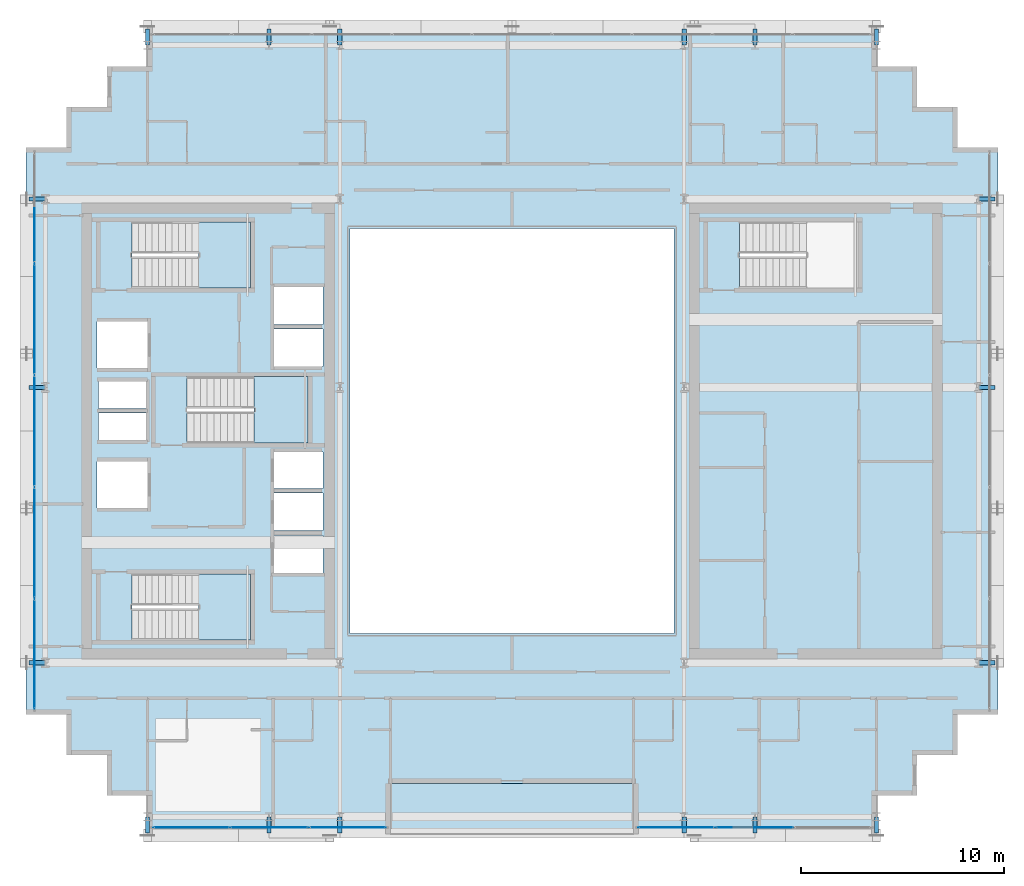
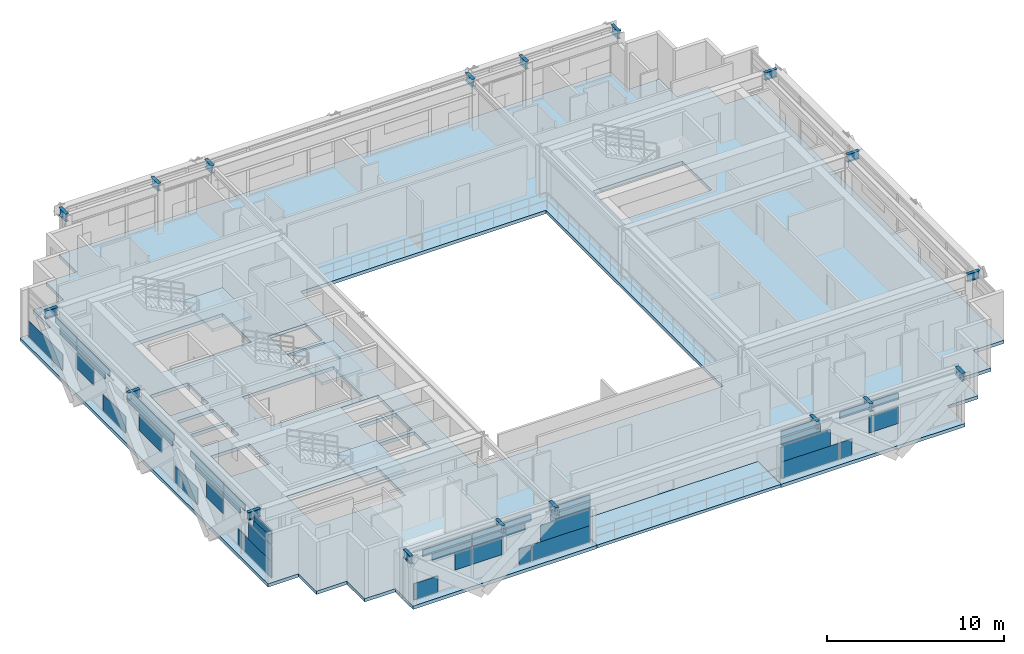
# One storey, part 20 of 32: 39 plates, 18 beams, 5 slabs, 6 elements without a shape of their own.
"""IFC4 building model written with IfcOpenShell, lengths in metres."""

from ifc_helpers import new_model, si_unit, direction, frame, origin, origin_2d, place, context, subcontext, project, spatial, polyline, rectangle, i_section, outline, extrude, source, transform, mapped, material, layer, layer_set, material_profile, profile_set, type_object, element, aggregate, save


model = new_model("IFC4")

# Units and contexts
model_context = context("Model", 3, precision=1e-05, world=origin(), true_north=direction((0.0, 1.0)))
body_context = subcontext(model_context, "Body", "Model", "MODEL_VIEW")
ifc_project = project(units=[si_unit("LENGTHUNIT", "METRE"), si_unit("AREAUNIT", "SQUARE_METRE"), si_unit("VOLUMEUNIT", "CUBIC_METRE"), si_unit("PLANEANGLEUNIT", "RADIAN"), si_unit("MASSUNIT", "GRAM", prefix="KILO")], contexts=[model_context])

# Site, building, storey
site_placement = place(None, origin())
site = spatial("IfcSite", under=ifc_project, at=site_placement, CompositionType="ELEMENT")
building_placement = place(site_placement, origin())
building = spatial("IfcBuilding", under=site, at=building_placement, Name="Ocotamira Hotel", CompositionType="ELEMENT")
storey_placement = place(building_placement, frame((0.0, 0.0, 177.60009765625)))
storey = spatial("IfcBuildingStorey", under=building, at=storey_placement, Name="L44", CompositionType="ELEMENT", Elevation=177.60009765625)

# Beams
ifc_material_1 = material(Name="Steel ASTM A992 Grade 50", Category="steel")
ifc_material_profile = material_profile(ifc_material_1, i_section(OverallWidth=0.2099609375, OverallDepth=0.537109375, WebThickness=0.010986328125, FlangeThickness=0.017333984375, FilletRadius=0.012939453125, at=origin_2d()), Name="W21X68")
ifc_profile_set = profile_set([ifc_material_profile], Name="Steel ASTM A992 Grade 50")
beam_type = type_object("IfcBeamType", Name="BM-SEC-W21X68", PredefinedType="JOIST", material=ifc_profile_set)
shared_shape_1 = source(origin(), body_context, "Body", "SweptSolid", [
    extrude(i_section(OverallWidth=0.2099609375, OverallDepth=0.537109375, WebThickness=0.010986328125, FlangeThickness=0.017333984375, FilletRadius=0.012939453125, at=origin_2d()), origin(), (0.0, 0.0, 1.0), 0.800048828125),
])
for number, where, z_axis, x_axis, name in (
    (1, (14.0, 6.949951171875, 3.101318359375), (0.0, -1.0, 0.0), (1.0, 0.0, 0.0), "L44 South Edge Header X14"),
    (2, (14.0, 45.050048828125, 3.101318359375), (0.0, 1.0, 0.0), (-1.0, 0.0, 0.0), "L44 North Edge Header X14"),
    (3, (20.0, 6.949951171875, 3.101318359375), (0.0, -1.0, 0.0), (1.0, 0.0, 0.0), "L44 South Edge Header X20"),
    (4, (20.0, 45.050048828125, 3.101318359375), (0.0, 1.0, 0.0), (-1.0, 0.0, 0.0), "L44 North Edge Header X20"),
    (5, (23.5, 6.949951171875, 3.101318359375), (0.0, -1.0, 0.0), (1.0, 0.0, 0.0), "L44 South Edge Header X23.5"),
    (6, (23.5, 45.050048828125, 3.101318359375), (0.0, 1.0, 0.0), (-1.0, 0.0, 0.0), "L44 North Edge Header X23.5"),
    (7, (40.5, 6.949951171875, 3.101318359375), (0.0, -1.0, 0.0), (1.0, 0.0, 0.0), "L44 South Edge Header X40.5"),
    (8, (40.5, 45.050048828125, 3.101318359375), (0.0, 1.0, 0.0), (-1.0, 0.0, 0.0), "L44 North Edge Header X40.5"),
    (9, (44.0, 6.949951171875, 3.101318359375), (0.0, -1.0, 0.0), (1.0, 0.0, 0.0), "L44 South Edge Header X44"),
    (10, (44.0, 45.050048828125, 3.101318359375), (0.0, 1.0, 0.0), (-1.0, 0.0, 0.0), "L44 North Edge Header X44"),
    (11, (50.0, 6.949951171875, 3.101318359375), (0.0, -1.0, 0.0), (1.0, 0.0, 0.0), "L44 South Edge Header X50"),
    (12, (50.0, 45.050048828125, 3.101318359375), (0.0, 1.0, 0.0), (-1.0, 0.0, 0.0), "L44 North Edge Header X50"),
    (13, (8.949951171875, 14.550048828125, 3.101318359375), (-1.0, 0.0, 0.0), (0.0, -1.0, 0.0), "L44 West Edge Header Y14.55"),
    (14, (55.050048828125, 14.550048828125, 3.101318359375), (1.0, 0.0, 0.0), (0.0, 1.0, 0.0), "L44 East Edge Header Y14.55"),
    (15, (8.949951171875, 28.14990234375, 3.101318359375), (-1.0, 0.0, 0.0), (0.0, -1.0, 0.0), "L44 West Edge Header Y28.15"),
    (16, (55.050048828125, 28.14990234375, 3.101318359375), (1.0, 0.0, 0.0), (0.0, 1.0, 0.0), "L44 East Edge Header Y28.15"),
    (17, (8.949951171875, 37.449951171875, 3.101318359375), (-1.0, 0.0, 0.0), (0.0, -1.0, 0.0), "L44 West Edge Header Y37.45"),
    (18, (55.050048828125, 37.449951171875, 3.101318359375), (1.0, 0.0, 0.0), (0.0, 1.0, 0.0), "L44 East Edge Header Y37.45"),
):
    element("IfcBeam", number, at=place(storey_placement, frame(where, z_axis=z_axis, x_axis=x_axis)), inside=storey, type_object=beam_type, Name=name, PredefinedType="JOIST", context=body_context, shape_type="MappedRepresentation", body=[
        mapped(shared_shape_1, transform((0.0, 0.0, 0.0), scale=1.0)),
    ])

# Slab
ifc_material_2 = material(Name="Concrete C40/50", Category="concrete")
ifc_layer_1 = layer(ifc_material_2, 0.199951171875)
ifc_layer_set_1 = layer_set([ifc_layer_1], Name="Concrete C40/50")
slab_type_1 = type_object("IfcSlabType", Name="SLB-BAL-200", PredefinedType="FLOOR", material=ifc_layer_set_1)
slab_1_placement = place(storey_placement, frame((0.0, 0.0, -0.2001953125)))
element("IfcSlab", 19, at=slab_1_placement, inside=storey, type_object=slab_type_1, Name="L44 Outdoor Sky Terrace Slab 1", PredefinedType="FLOOR", context=body_context, shape_type="SweptSolid", body=[
    extrude(outline(polyline([(26.0, 6.0), (38.0, 6.0), (38.0, 8.60009765625), (26.0, 8.60009765625), (26.0, 6.0)])), origin(), (0.0, 0.0, 1.0), 0.2001953125),
])

# Stair, slab
stair_type = type_object("IfcStairType", Name="ST-CORE-1560", PredefinedType="HALF_TURN_STAIR", material=ifc_material_2)
stair_1_placement = place(storey_placement, origin())
stair_1 = element("IfcStair", 20, at=stair_1_placement, inside=storey, type_object=stair_type, Name="L44 Exit Stair ST-1", PredefinedType="HALF_TURN_STAIR")
ifc_layer_2 = layer(ifc_material_2, 0.199951171875)
ifc_layer_set_2 = layer_set([ifc_layer_2], Name="Concrete C40/50")
slab_type_2 = type_object("IfcSlabType", Name="SLB-LAND-200", PredefinedType="LANDING", material=ifc_layer_set_2)
slab_2_placement = place(storey_placement, frame((0.0, 0.0, 1.599853515625)))
slab_2 = element("IfcSlab", 21, at=slab_2_placement, type_object=slab_type_2, Name="ST-1 landing 1", PredefinedType="LANDING", context=body_context, shape_type="SweptSolid", body=[
    extrude(outline(polyline([(16.530029296875, 15.669921875), (19.090087890625, 15.669921875), (19.090087890625, 18.949951171875), (16.530029296875, 18.949951171875), (16.530029296875, 15.669921875)])), origin(), (0.0, 0.0, 1.0), 0.199951171875),
])
aggregate(stair_1, [slab_2])

stair_2_placement = place(storey_placement, origin())
stair_2 = element("IfcStair", 22, at=stair_2_placement, inside=storey, type_object=stair_type, Name="L44 Exit Stair ST-2", PredefinedType="HALF_TURN_STAIR")
slab_3_placement = place(storey_placement, frame((0.0, 0.0, 1.599853515625)))
slab_3 = element("IfcSlab", 23, at=slab_3_placement, type_object=slab_type_2, Name="ST-2 landing 1", PredefinedType="LANDING", context=body_context, shape_type="SweptSolid", body=[
    extrude(outline(polyline([(16.530029296875, 33.050048828125), (19.090087890625, 33.050048828125), (19.090087890625, 36.330078125), (16.530029296875, 36.330078125), (16.530029296875, 33.050048828125)])), origin(), (0.0, 0.0, 1.0), 0.199951171875),
])
aggregate(stair_2, [slab_3])

stair_3_placement = place(storey_placement, origin())
stair_3 = element("IfcStair", 24, at=stair_3_placement, inside=storey, type_object=stair_type, Name="L44 Exit Stair ST-3", PredefinedType="HALF_TURN_STAIR")
slab_4_placement = place(storey_placement, frame((0.0, 0.0, 1.599853515625)))
slab_4 = element("IfcSlab", 25, at=slab_4_placement, type_object=slab_type_2, Name="ST-3 landing 1", PredefinedType="LANDING", context=body_context, shape_type="SweptSolid", body=[
    extrude(outline(polyline([(19.260009765625, 25.39990234375), (21.919921875, 25.39990234375), (21.919921875, 28.679931640625), (19.260009765625, 28.679931640625), (19.260009765625, 25.39990234375)])), origin(), (0.0, 0.0, 1.0), 0.199951171875),
])
aggregate(stair_3, [slab_4])

# Slab
ifc_layer_3 = layer(ifc_material_2, 0.22998046875)
ifc_layer_set_3 = layer_set([ifc_layer_3], Name="Concrete C40/50")
slab_type_3 = type_object("IfcSlabType", Name="SLB-Z3-230", PredefinedType="FLOOR", material=ifc_layer_set_3)
slab_5_placement = place(storey_placement, frame((0.0, 0.0, -0.22998046875)))
element("IfcSlab", 26, at=slab_5_placement, inside=storey, type_object=slab_type_3, Name="L44 Structural Floor Slab", PredefinedType="FLOOR", context=body_context, shape_type="SweptSolid", body=[
    extrude(outline(polyline([(14.0, 6.0), (14.0, 8.0), (12.0, 8.0), (12.0, 10.0), (10.0, 10.0), (10.0, 12.0), (8.0, 12.0), (8.0, 40.0), (10.0, 40.0), (10.0, 42.0), (12.0, 42.0), (12.0, 44.0), (14.0, 44.0), (14.0, 46.0), (50.0, 46.0), (50.0, 44.0), (52.0, 44.0), (52.0, 42.0), (54.0, 42.0), (54.0, 40.0), (56.0, 40.0), (56.0, 12.0), (54.0, 12.0), (54.0, 10.0), (52.0, 10.0), (52.0, 8.0), (50.0, 8.0), (50.0, 6.0), (38.0, 6.0), (38.0, 8.60009765625), (26.0, 8.60009765625), (26.0, 6.0), (14.0, 6.0)]), holes=[polyline([(24.0, 16.0), (40.0, 16.0), (40.0, 36.0), (24.0, 36.0), (24.0, 16.0)]), polyline([(13.22998046875, 15.669921875), (19.090087890625, 15.669921875), (19.090087890625, 18.949951171875), (13.22998046875, 18.949951171875), (13.22998046875, 15.669921875)]), polyline([(13.22998046875, 33.050048828125), (19.090087890625, 33.050048828125), (19.090087890625, 36.330078125), (13.22998046875, 36.330078125), (13.22998046875, 33.050048828125)]), polyline([(15.9599609375, 25.39990234375), (21.919921875, 25.39990234375), (21.919921875, 28.679931640625), (15.9599609375, 28.679931640625), (15.9599609375, 25.39990234375)]), polyline([(43.22998046875, 33.050048828125), (49.090087890625, 33.050048828125), (49.090087890625, 36.330078125), (43.22998046875, 36.330078125), (43.22998046875, 33.050048828125)]), polyline([(20.25, 19.0), (22.659912109375, 19.0), (22.659912109375, 20.85009765625), (20.25, 20.85009765625), (20.25, 19.0)]), polyline([(20.25, 21.080078125), (22.659912109375, 21.080078125), (22.659912109375, 22.929931640625), (20.25, 22.929931640625), (20.25, 21.080078125)]), polyline([(20.25, 23.159912109375), (22.659912109375, 23.159912109375), (22.659912109375, 24.9599609375), (20.25, 24.9599609375), (20.25, 23.159912109375)]), polyline([(20.25, 29.179931640625), (22.659912109375, 29.179931640625), (22.659912109375, 31.030029296875), (20.25, 31.030029296875), (20.25, 29.179931640625)]), polyline([(20.25, 31.260009765625), (22.659912109375, 31.260009765625), (22.659912109375, 33.110107421875), (20.25, 33.110107421875), (20.25, 31.260009765625)]), polyline([(11.5, 22.199951171875), (14.0, 22.199951171875), (14.0, 24.5), (11.5, 24.5), (11.5, 22.199951171875)]), polyline([(11.5, 29.10009765625), (14.0, 29.10009765625), (14.0, 31.39990234375), (11.5, 31.39990234375), (11.5, 29.10009765625)]), polyline([(11.580078125, 25.550048828125), (13.919921875, 25.550048828125), (13.919921875, 26.89990234375), (11.580078125, 26.89990234375), (11.580078125, 25.550048828125)]), polyline([(11.580078125, 27.10009765625), (13.919921875, 27.10009765625), (13.919921875, 28.449951171875), (11.580078125, 28.449951171875), (11.580078125, 27.10009765625)])]), origin(), (0.0, 0.0, 1.0), 0.22998046875),
])

# Curtain wall, plates
ifc_material_3 = material(Name="Anodised pale-metal aluminium and solar glass", Category="aluminium")
ifc_layer_4 = layer(ifc_material_3, 0.199951171875)
ifc_layer_set_4 = layer_set([ifc_layer_4], Name="Anodised pale-metal aluminium and solar glass")
curtain_wall_type = type_object("IfcCurtainWallType", Name="CW-SYS4-Z3", PredefinedType="NOTDEFINED", material=ifc_layer_set_4)
curtain_wall_1_placement = place(storey_placement, origin())
curtain_wall_1 = element("IfcCurtainWall", 27, at=curtain_wall_1_placement, inside=storey, type_object=curtain_wall_type, Name="L44 Curtain Wall CW-4 CW-L44-W", PredefinedType="NOTDEFINED")
ifc_material_4 = material(Name="Double-silver low-E insulated solar glass", Category="glass")
ifc_layer_5 = layer(ifc_material_4, 0.031982421875)
ifc_layer_set_5 = layer_set([ifc_layer_5], Name="Double-silver low-E insulated solar glass")
plate_type = type_object("IfcPlateType", Name="CWP-VISION-32", PredefinedType="CURTAIN_PANEL", material=ifc_layer_set_5)
shared_shape_2 = source(origin(), body_context, "Body", "SweptSolid", [
    extrude(rectangle(XDim=2.048095703125, YDim=0.031982421875, at=origin_2d()), origin(), (0.0, 0.0, 1.0), 0.460693359375),
])
plate_1_placement = place(storey_placement, frame((8.419921875, 13.303955078125, 2.3876953125), z_axis=(0.0, 0.0, 1.0), x_axis=(0.0, 1.0, 0.0)))
plate_1 = element("IfcPlate", 28, at=plate_1_placement, type_object=plate_type, Name="CW-4 panel 1.2.1", PredefinedType="CURTAIN_PANEL", context=body_context, shape_type="MappedRepresentation", body=[
    mapped(shared_shape_2, transform((0.0, 0.0, 0.0), scale=1.0)),
])
shared_shape_3 = source(origin(), body_context, "Body", "SweptSolid", [
    extrude(rectangle(XDim=2.01171875, YDim=0.031982421875, at=origin_2d()), origin(), (0.0, 0.0, 1.0), 0.44677734375),
])
plate_2_placement = place(storey_placement, frame((8.419921875, 13.285888671875, 2.84814453125), z_axis=(0.0, 0.0, 1.0), x_axis=(0.0, 1.0, 0.0)))
plate_2 = element("IfcPlate", 29, at=plate_2_placement, type_object=plate_type, Name="CW-4 panel 1.2.2", PredefinedType="CURTAIN_PANEL", context=body_context, shape_type="MappedRepresentation", body=[
    mapped(shared_shape_3, transform((0.0, 0.0, 0.0), scale=1.0)),
])
shared_shape_4 = source(origin(), body_context, "Body", "SweptSolid", [
    extrude(rectangle(XDim=2.3681640625, YDim=0.031982421875, at=origin_2d()), origin(), (0.0, 0.0, 1.0), 0.41259765625),
])
plate_3_placement = place(storey_placement, frame((8.419921875, 16.495849609375, 2.88232421875), z_axis=(0.0, 0.0, 1.0), x_axis=(0.0, 1.0, 0.0)))
plate_3 = element("IfcPlate", 30, at=plate_3_placement, type_object=plate_type, Name="CW-4 panel 1.2.3", PredefinedType="CURTAIN_PANEL", context=body_context, shape_type="MappedRepresentation", body=[
    mapped(shared_shape_4, transform((0.0, 0.0, 0.0), scale=1.0)),
])
plate_4_placement = place(storey_placement, frame((8.419921875, 35.504150390625, 2.88232421875), z_axis=(0.0, 0.0, 1.0), x_axis=(0.0, 1.0, 0.0)))
plate_4 = element("IfcPlate", 31, at=plate_4_placement, type_object=plate_type, Name="CW-4 panel 5.2.2", PredefinedType="CURTAIN_PANEL", context=body_context, shape_type="MappedRepresentation", body=[
    mapped(shared_shape_4, transform((0.0, 0.0, 0.0), scale=1.0)),
])
shared_shape_5 = source(origin(), body_context, "Body", "SweptSolid", [
    extrude(rectangle(XDim=1.84326171875, YDim=0.031982421875, at=origin_2d()), origin(), (0.0, 0.0, 1.0), 0.460693359375),
])
plate_5_placement = place(storey_placement, frame((8.419921875, 16.75830078125, 2.3876953125), z_axis=(0.0, 0.0, 1.0), x_axis=(0.0, 1.0, 0.0)))
plate_5 = element("IfcPlate", 32, at=plate_5_placement, type_object=plate_type, Name="CW-4 panel 1.2.4", PredefinedType="CURTAIN_PANEL", context=body_context, shape_type="MappedRepresentation", body=[
    mapped(shared_shape_5, transform((0.0, 0.0, 0.0), scale=1.0)),
])
plate_6_placement = place(storey_placement, frame((8.419921875, 35.24169921875, 2.3876953125), z_axis=(0.0, 0.0, 1.0), x_axis=(0.0, 1.0, 0.0)))
plate_6 = element("IfcPlate", 33, at=plate_6_placement, type_object=plate_type, Name="CW-4 panel 5.2.1", PredefinedType="CURTAIN_PANEL", context=body_context, shape_type="MappedRepresentation", body=[
    mapped(shared_shape_5, transform((0.0, 0.0, 0.0), scale=1.0)),
])
shared_shape_6 = source(origin(), body_context, "Body", "SweptSolid", [
    extrude(rectangle(XDim=3.13671875, YDim=0.031982421875, at=origin_2d()), origin(), (0.0, 0.0, 1.0), 0.460693359375),
])
plate_7_placement = place(storey_placement, frame((8.419921875, 19.328369140625, 2.3876953125), z_axis=(0.0, 0.0, 1.0), x_axis=(0.0, 1.0, 0.0)))
plate_7 = element("IfcPlate", 34, at=plate_7_placement, type_object=plate_type, Name="CW-4 panel 2.2.1", PredefinedType="CURTAIN_PANEL", context=body_context, shape_type="MappedRepresentation", body=[
    mapped(shared_shape_6, transform((0.0, 0.0, 0.0), scale=1.0)),
])
plate_8_placement = place(storey_placement, frame((8.419921875, 32.671630859375, 2.3876953125), z_axis=(0.0, 0.0, 1.0), x_axis=(0.0, 1.0, 0.0)))
plate_8 = element("IfcPlate", 35, at=plate_8_placement, type_object=plate_type, Name="CW-4 panel 4.2.2", PredefinedType="CURTAIN_PANEL", context=body_context, shape_type="MappedRepresentation", body=[
    mapped(shared_shape_6, transform((0.0, 0.0, 0.0), scale=1.0)),
])
shared_shape_7 = source(origin(), body_context, "Body", "SweptSolid", [
    extrude(rectangle(XDim=3.66162109375, YDim=0.031982421875, at=origin_2d()), origin(), (0.0, 0.0, 1.0), 0.41259765625),
])
plate_9_placement = place(storey_placement, frame((8.419921875, 19.5908203125, 2.88232421875), z_axis=(0.0, 0.0, 1.0), x_axis=(0.0, 1.0, 0.0)))
plate_9 = element("IfcPlate", 36, at=plate_9_placement, type_object=plate_type, Name="CW-4 panel 2.2.2", PredefinedType="CURTAIN_PANEL", context=body_context, shape_type="MappedRepresentation", body=[
    mapped(shared_shape_7, transform((0.0, 0.0, 0.0), scale=1.0)),
])
plate_10_placement = place(storey_placement, frame((8.419921875, 32.4091796875, 2.88232421875), z_axis=(0.0, 0.0, 1.0), x_axis=(0.0, 1.0, 0.0)))
plate_10 = element("IfcPlate", 37, at=plate_10_placement, type_object=plate_type, Name="CW-4 panel 4.2.1", PredefinedType="CURTAIN_PANEL", context=body_context, shape_type="MappedRepresentation", body=[
    mapped(shared_shape_7, transform((0.0, 0.0, 0.0), scale=1.0)),
])
shared_shape_8 = source(origin(), body_context, "Body", "SweptSolid", [
    extrude(rectangle(XDim=5.43994140625, YDim=0.031982421875, at=origin_2d()), origin(), (0.0, 0.0, 1.0), 0.41259765625),
])
plate_11_placement = place(storey_placement, frame((8.419921875, 26.0, 2.88232421875), z_axis=(0.0, 0.0, 1.0), x_axis=(0.0, 1.0, 0.0)))
plate_11 = element("IfcPlate", 38, at=plate_11_placement, type_object=plate_type, Name="CW-4 panel 3.2.1", PredefinedType="CURTAIN_PANEL", context=body_context, shape_type="MappedRepresentation", body=[
    mapped(shared_shape_8, transform((0.0, 0.0, 0.0), scale=1.0)),
])
shared_shape_9 = source(origin(), body_context, "Body", "SweptSolid", [
    extrude(rectangle(XDim=5.06005859375, YDim=0.031982421875, at=origin_2d()), origin(), (0.0, 0.0, 1.0), 0.4951171875),
])
plate_12_placement = place(storey_placement, frame((8.419921875, 26.0, 2.387451171875), z_axis=(0.0, 0.0, 1.0), x_axis=(0.0, 1.0, 0.0)))
plate_12 = element("IfcPlate", 39, at=plate_12_placement, type_object=plate_type, Name="CW-4 panel 3.2.2", PredefinedType="CURTAIN_PANEL", context=body_context, shape_type="MappedRepresentation", body=[
    mapped(shared_shape_9, transform((0.0, 0.0, 0.0), scale=1.0)),
])

curtain_wall_2_placement = place(storey_placement, origin())
curtain_wall_2 = element("IfcCurtainWall", 40, at=curtain_wall_2_placement, inside=storey, type_object=curtain_wall_type, Name="L44 Curtain Wall CW-4 CW-L44-S1", PredefinedType="NOTDEFINED")
shared_shape_10 = source(origin(), body_context, "Body", "SweptSolid", [
    extrude(rectangle(XDim=1.0751953125, YDim=0.031982421875, at=origin_2d()), origin(), (0.0, 0.0, 1.0), 1.118896484375),
])
plate_13_placement = place(storey_placement, frame((17.505615234375, 6.419921875, 1.193359375), z_axis=(0.0, 0.0, 1.0), x_axis=(1.0, 0.0, 0.0)))
plate_13 = element("IfcPlate", 41, at=plate_13_placement, type_object=plate_type, Name="CW-4 panel 1.1.2", PredefinedType="CURTAIN_PANEL", context=body_context, shape_type="MappedRepresentation", body=[
    mapped(shared_shape_10, transform((0.0, 0.0, 0.0), scale=1.0)),
])
shared_shape_11 = source(origin(), body_context, "Body", "SweptSolid", [
    extrude(rectangle(XDim=3.160888671875, YDim=0.031982421875, at=origin_2d()), origin(), (0.0, 0.0, 1.0), 0.4326171875),
])
plate_14_placement = place(storey_placement, frame((16.462890625, 6.419921875, 2.8623046875), z_axis=(0.0, 0.0, 1.0), x_axis=(1.0, 0.0, 0.0)))
plate_14 = element("IfcPlate", 42, at=plate_14_placement, type_object=plate_type, Name="CW-4 panel 1.2.1", PredefinedType="CURTAIN_PANEL", context=body_context, shape_type="MappedRepresentation", body=[
    mapped(shared_shape_11, transform((0.0, 0.0, 0.0), scale=1.0)),
])
shared_shape_12 = source(origin(), body_context, "Body", "SweptSolid", [
    extrude(rectangle(XDim=2.5673828125, YDim=0.031982421875, at=origin_2d()), origin(), (0.0, 0.0, 1.0), 0.443603515625),
])
plate_15_placement = place(storey_placement, frame((16.759521484375, 6.419921875, 2.38720703125), z_axis=(0.0, 0.0, 1.0), x_axis=(1.0, 0.0, 0.0)))
plate_15 = element("IfcPlate", 43, at=plate_15_placement, type_object=plate_type, Name="CW-4 panel 1.2.2", PredefinedType="CURTAIN_PANEL", context=body_context, shape_type="MappedRepresentation", body=[
    mapped(shared_shape_12, transform((0.0, 0.0, 0.0), scale=1.0)),
])
shared_shape_13 = source(origin(), body_context, "Body", "SweptSolid", [
    extrude(rectangle(XDim=1.90869140625, YDim=0.031982421875, at=origin_2d()), origin(), (0.0, 0.0, 1.0), 1.118896484375),
])
plate_16_placement = place(storey_placement, frame((19.07763671875, 6.419921875, 1.193359375), z_axis=(0.0, 0.0, 1.0), x_axis=(1.0, 0.0, 0.0)))
plate_16 = element("IfcPlate", 44, at=plate_16_placement, type_object=plate_type, Name="CW-4 panel 2.1.1", PredefinedType="CURTAIN_PANEL", context=body_context, shape_type="MappedRepresentation", body=[
    mapped(shared_shape_13, transform((0.0, 0.0, 0.0), scale=1.0)),
])

# Curtain wall, plate
curtain_wall_3_placement = place(storey_placement, origin())
curtain_wall_3 = element("IfcCurtainWall", 45, at=curtain_wall_3_placement, inside=storey, type_object=curtain_wall_type, Name="L44 Curtain Wall CW-4 CW-L44-S2", PredefinedType="NOTDEFINED")
plate_17_placement = place(storey_placement, frame((44.92236328125, 6.419921875, 1.193359375), z_axis=(0.0, 0.0, 1.0), x_axis=(1.0, 0.0, 0.0)))
plate_17 = element("IfcPlate", 46, at=plate_17_placement, type_object=plate_type, Name="CW-4 panel 2.1.2", PredefinedType="CURTAIN_PANEL", context=body_context, shape_type="MappedRepresentation", body=[
    mapped(shared_shape_13, transform((0.0, 0.0, 0.0), scale=1.0)),
])

# Plate
shared_shape_14 = source(origin(), body_context, "Body", "SweptSolid", [
    extrude(rectangle(XDim=3.40087890625, YDim=0.031982421875, at=origin_2d()), origin(), (0.0, 0.0, 1.0), 0.474853515625),
])
plate_18_placement = place(storey_placement, frame((19.82373046875, 6.419921875, 2.38720703125), z_axis=(0.0, 0.0, 1.0), x_axis=(1.0, 0.0, 0.0)))
plate_18 = element("IfcPlate", 47, at=plate_18_placement, type_object=plate_type, Name="CW-4 panel 2.2.1", PredefinedType="CURTAIN_PANEL", context=body_context, shape_type="MappedRepresentation", body=[
    mapped(shared_shape_14, transform((0.0, 0.0, 0.0), scale=1.0)),
])

shared_shape_15 = source(origin(), body_context, "Body", "SweptSolid", [
    extrude(rectangle(XDim=3.80322265625, YDim=0.031982421875, at=origin_2d()), origin(), (0.0, 0.0, 1.0), 0.4326171875),
])
plate_19_placement = place(storey_placement, frame((20.02490234375, 6.419921875, 2.8623046875), z_axis=(0.0, 0.0, 1.0), x_axis=(1.0, 0.0, 0.0)))
plate_19 = element("IfcPlate", 48, at=plate_19_placement, type_object=plate_type, Name="CW-4 panel 2.2.2", PredefinedType="CURTAIN_PANEL", context=body_context, shape_type="MappedRepresentation", body=[
    mapped(shared_shape_15, transform((0.0, 0.0, 0.0), scale=1.0)),
])

plate_20_placement = place(storey_placement, frame((43.97509765625, 6.419921875, 2.8623046875), z_axis=(0.0, 0.0, 1.0), x_axis=(1.0, 0.0, 0.0)))
plate_20 = element("IfcPlate", 49, at=plate_20_placement, type_object=plate_type, Name="CW-4 panel 2.2.1", PredefinedType="CURTAIN_PANEL", context=body_context, shape_type="MappedRepresentation", body=[
    mapped(shared_shape_15, transform((0.0, 0.0, 0.0), scale=1.0)),
])

shared_shape_16 = source(origin(), body_context, "Body", "SweptSolid", [
    extrude(rectangle(XDim=3.218994140625, YDim=0.031982421875, at=origin_2d()), origin(), (0.0, 0.0, 1.0), 1.118896484375),
])
plate_21_placement = place(storey_placement, frame((24.160400390625, 6.419921875, 1.193359375), z_axis=(0.0, 0.0, 1.0), x_axis=(1.0, 0.0, 0.0)))
plate_21 = element("IfcPlate", 50, at=plate_21_placement, type_object=plate_type, Name="CW-4 panel 3.1.2", PredefinedType="CURTAIN_PANEL", context=body_context, shape_type="MappedRepresentation", body=[
    mapped(shared_shape_16, transform((0.0, 0.0, 0.0), scale=1.0)),
])

plate_22_placement = place(storey_placement, frame((39.839599609375, 6.419921875, 1.193359375), z_axis=(0.0, 0.0, 1.0), x_axis=(1.0, 0.0, 0.0)))
plate_22 = element("IfcPlate", 51, at=plate_22_placement, type_object=plate_type, Name="CW-4 panel 1.1.2", PredefinedType="CURTAIN_PANEL", context=body_context, shape_type="MappedRepresentation", body=[
    mapped(shared_shape_16, transform((0.0, 0.0, 0.0), scale=1.0)),
])

shared_shape_17 = source(origin(), body_context, "Body", "SweptSolid", [
    extrude(rectangle(XDim=2.57080078125, YDim=0.031982421875, at=origin_2d()), origin(), (0.0, 0.0, 1.0), 0.443603515625),
])
plate_23_placement = place(storey_placement, frame((24.484619140625, 6.419921875, 2.38720703125), z_axis=(0.0, 0.0, 1.0), x_axis=(1.0, 0.0, 0.0)))
plate_23 = element("IfcPlate", 52, at=plate_23_placement, type_object=plate_type, Name="CW-4 panel 3.2.1", PredefinedType="CURTAIN_PANEL", context=body_context, shape_type="MappedRepresentation", body=[
    mapped(shared_shape_17, transform((0.0, 0.0, 0.0), scale=1.0)),
])

plate_24_placement = place(storey_placement, frame((39.515380859375, 6.419921875, 2.38720703125), z_axis=(0.0, 0.0, 1.0), x_axis=(1.0, 0.0, 0.0)))
plate_24 = element("IfcPlate", 53, at=plate_24_placement, type_object=plate_type, Name="CW-4 panel 1.2.1", PredefinedType="CURTAIN_PANEL", context=body_context, shape_type="MappedRepresentation", body=[
    mapped(shared_shape_17, transform((0.0, 0.0, 0.0), scale=1.0)),
])

shared_shape_18 = source(origin(), body_context, "Body", "SweptSolid", [
    extrude(rectangle(XDim=2.53173828125, YDim=0.031982421875, at=origin_2d()), origin(), (0.0, 0.0, 1.0), 0.4638671875),
])
plate_25_placement = place(storey_placement, frame((24.504150390625, 6.419921875, 2.8310546875), z_axis=(0.0, 0.0, 1.0), x_axis=(1.0, 0.0, 0.0)))
plate_25 = element("IfcPlate", 54, at=plate_25_placement, type_object=plate_type, Name="CW-4 panel 3.2.2", PredefinedType="CURTAIN_PANEL", context=body_context, shape_type="MappedRepresentation", body=[
    mapped(shared_shape_18, transform((0.0, 0.0, 0.0), scale=1.0)),
])

plate_26_placement = place(storey_placement, frame((39.495849609375, 6.419921875, 2.8310546875), z_axis=(0.0, 0.0, 1.0), x_axis=(1.0, 0.0, 0.0)))
plate_26 = element("IfcPlate", 55, at=plate_26_placement, type_object=plate_type, Name="CW-4 panel 1.2.2", PredefinedType="CURTAIN_PANEL", context=body_context, shape_type="MappedRepresentation", body=[
    mapped(shared_shape_18, transform((0.0, 0.0, 0.0), scale=1.0)),
])

shared_shape_19 = source(origin(), body_context, "Body", "SweptSolid", [
    extrude(rectangle(XDim=2.615966796875, YDim=0.031982421875, at=origin_2d()), origin(), (0.0, 0.0, 1.0), 1.118896484375),
])
plate_27_placement = place(storey_placement, frame((8.419921875, 13.587890625, 1.193359375), z_axis=(0.0, 0.0, 1.0), x_axis=(0.0, 1.0, 0.0)))
plate_27 = element("IfcPlate", 56, at=plate_27_placement, type_object=plate_type, Name="CW-4 panel 1.1.2", PredefinedType="CURTAIN_PANEL", context=body_context, shape_type="MappedRepresentation", body=[
    mapped(shared_shape_19, transform((0.0, 0.0, 0.0), scale=1.0)),
])

shared_shape_20 = source(origin(), body_context, "Body", "SweptSolid", [
    extrude(rectangle(XDim=1.87109375, YDim=0.031982421875, at=origin_2d()), origin(), (0.0, 0.0, 1.0), 1.118896484375),
])
plate_28_placement = place(storey_placement, frame((8.419921875, 18.695556640625, 1.193359375), z_axis=(0.0, 0.0, 1.0), x_axis=(0.0, 1.0, 0.0)))
plate_28 = element("IfcPlate", 57, at=plate_28_placement, type_object=plate_type, Name="CW-4 panel 2.1.1", PredefinedType="CURTAIN_PANEL", context=body_context, shape_type="MappedRepresentation", body=[
    mapped(shared_shape_20, transform((0.0, 0.0, 0.0), scale=1.0)),
])

plate_29_placement = place(storey_placement, frame((8.419921875, 33.304443359375, 1.193359375), z_axis=(0.0, 0.0, 1.0), x_axis=(0.0, 1.0, 0.0)))
plate_29 = element("IfcPlate", 58, at=plate_29_placement, type_object=plate_type, Name="CW-4 panel 4.1.2", PredefinedType="CURTAIN_PANEL", context=body_context, shape_type="MappedRepresentation", body=[
    mapped(shared_shape_20, transform((0.0, 0.0, 0.0), scale=1.0)),
])

shared_shape_21 = source(origin(), body_context, "Body", "SweptSolid", [
    extrude(rectangle(XDim=2.52880859375, YDim=0.031982421875, at=origin_2d()), origin(), (0.0, 0.0, 1.0), 1.118896484375),
])
plate_30_placement = place(storey_placement, frame((8.419921875, 26.0, 1.193359375), z_axis=(0.0, 0.0, 1.0), x_axis=(0.0, 1.0, 0.0)))
plate_30 = element("IfcPlate", 59, at=plate_30_placement, type_object=plate_type, Name="CW-4 panel 3.1.1", PredefinedType="CURTAIN_PANEL", context=body_context, shape_type="MappedRepresentation", body=[
    mapped(shared_shape_21, transform((0.0, 0.0, 0.0), scale=1.0)),
])

shared_shape_22 = source(origin(), body_context, "Body", "SweptSolid", [
    extrude(rectangle(XDim=1.5673828125, YDim=0.031982421875, at=origin_2d()), origin(), (0.0, 0.0, 1.0), 1.11865234375),
])
plate_31_placement = place(storey_placement, frame((15.063720703125, 6.419921875, 0.074951171875), z_axis=(0.0, 0.0, 1.0), x_axis=(1.0, 0.0, 0.0)))
plate_31 = element("IfcPlate", 60, at=plate_31_placement, type_object=plate_type, Name="CW-4 panel 1.1.1", PredefinedType="CURTAIN_PANEL", context=body_context, shape_type="MappedRepresentation", body=[
    mapped(shared_shape_22, transform((0.0, 0.0, 0.0), scale=1.0)),
])

shared_shape_23 = source(origin(), body_context, "Body", "SweptSolid", [
    extrude(rectangle(XDim=0.774169921875, YDim=0.031982421875, at=origin_2d()), origin(), (0.0, 0.0, 1.0), 1.11865234375),
])
plate_32_placement = place(storey_placement, frame((21.53955078125, 6.419921875, 0.074951171875), z_axis=(0.0, 0.0, 1.0), x_axis=(1.0, 0.0, 0.0)))
plate_32 = element("IfcPlate", 61, at=plate_32_placement, type_object=plate_type, Name="CW-4 panel 2.1.2", PredefinedType="CURTAIN_PANEL", context=body_context, shape_type="MappedRepresentation", body=[
    mapped(shared_shape_23, transform((0.0, 0.0, 0.0), scale=1.0)),
])

plate_33_placement = place(storey_placement, frame((42.46044921875, 6.419921875, 0.074951171875), z_axis=(0.0, 0.0, 1.0), x_axis=(1.0, 0.0, 0.0)))
plate_33 = element("IfcPlate", 62, at=plate_33_placement, type_object=plate_type, Name="CW-4 panel 2.1.1", PredefinedType="CURTAIN_PANEL", context=body_context, shape_type="MappedRepresentation", body=[
    mapped(shared_shape_23, transform((0.0, 0.0, 0.0), scale=1.0)),
])

shared_shape_24 = source(origin(), body_context, "Body", "SweptSolid", [
    extrude(rectangle(XDim=3.76318359375, YDim=0.031982421875, at=origin_2d()), origin(), (0.0, 0.0, 1.0), 1.11865234375),
])
plate_34_placement = place(storey_placement, frame((23.88818359375, 6.419921875, 0.074951171875), z_axis=(0.0, 0.0, 1.0), x_axis=(1.0, 0.0, 0.0)))
plate_34 = element("IfcPlate", 63, at=plate_34_placement, type_object=plate_type, Name="CW-4 panel 3.1.1", PredefinedType="CURTAIN_PANEL", context=body_context, shape_type="MappedRepresentation", body=[
    mapped(shared_shape_24, transform((0.0, 0.0, 0.0), scale=1.0)),
])

aggregate(curtain_wall_2, [plate_31, plate_13, plate_14, plate_15, plate_16, plate_32, plate_18, plate_19, plate_34, plate_21, plate_23, plate_25])

plate_35_placement = place(storey_placement, frame((40.11181640625, 6.419921875, 0.074951171875), z_axis=(0.0, 0.0, 1.0), x_axis=(1.0, 0.0, 0.0)))
plate_35 = element("IfcPlate", 64, at=plate_35_placement, type_object=plate_type, Name="CW-4 panel 1.1.1", PredefinedType="CURTAIN_PANEL", context=body_context, shape_type="MappedRepresentation", body=[
    mapped(shared_shape_24, transform((0.0, 0.0, 0.0), scale=1.0)),
])

aggregate(curtain_wall_3, [plate_35, plate_22, plate_24, plate_26, plate_33, plate_17, plate_20])

shared_shape_25 = source(origin(), body_context, "Body", "SweptSolid", [
    extrude(rectangle(XDim=3.802001953125, YDim=0.031982421875, at=origin_2d()), origin(), (0.0, 0.0, 1.0), 1.11865234375),
])
plate_36_placement = place(storey_placement, frame((8.419921875, 14.180908203125, 0.074951171875), z_axis=(0.0, 0.0, 1.0), x_axis=(0.0, 1.0, 0.0)))
plate_36 = element("IfcPlate", 65, at=plate_36_placement, type_object=plate_type, Name="CW-4 panel 1.1.1", PredefinedType="CURTAIN_PANEL", context=body_context, shape_type="MappedRepresentation", body=[
    mapped(shared_shape_25, transform((0.0, 0.0, 0.0), scale=1.0)),
])

plate_37_placement = place(storey_placement, frame((8.419921875, 37.819091796875, 0.074951171875), z_axis=(0.0, 0.0, 1.0), x_axis=(0.0, 1.0, 0.0)))
plate_37 = element("IfcPlate", 66, at=plate_37_placement, type_object=plate_type, Name="CW-4 panel 5.1.1", PredefinedType="CURTAIN_PANEL", context=body_context, shape_type="MappedRepresentation", body=[
    mapped(shared_shape_25, transform((0.0, 0.0, 0.0), scale=1.0)),
])

shared_shape_26 = source(origin(), body_context, "Body", "SweptSolid", [
    extrude(rectangle(XDim=2.548828125, YDim=0.031982421875, at=origin_2d()), origin(), (0.0, 0.0, 1.0), 1.11865234375),
])
plate_38_placement = place(storey_placement, frame((8.419921875, 21.925537109375, 0.074951171875), z_axis=(0.0, 0.0, 1.0), x_axis=(0.0, 1.0, 0.0)))
plate_38 = element("IfcPlate", 67, at=plate_38_placement, type_object=plate_type, Name="CW-4 panel 2.1.2", PredefinedType="CURTAIN_PANEL", context=body_context, shape_type="MappedRepresentation", body=[
    mapped(shared_shape_26, transform((0.0, 0.0, 0.0), scale=1.0)),
])

plate_39_placement = place(storey_placement, frame((8.419921875, 30.074462890625, 0.074951171875), z_axis=(0.0, 0.0, 1.0), x_axis=(0.0, 1.0, 0.0)))
plate_39 = element("IfcPlate", 68, at=plate_39_placement, type_object=plate_type, Name="CW-4 panel 4.1.1", PredefinedType="CURTAIN_PANEL", context=body_context, shape_type="MappedRepresentation", body=[
    mapped(shared_shape_26, transform((0.0, 0.0, 0.0), scale=1.0)),
])

aggregate(curtain_wall_1, [plate_36, plate_27, plate_1, plate_2, plate_3, plate_5, plate_28, plate_38, plate_7, plate_9, plate_30, plate_11, plate_12, plate_39, plate_29, plate_10, plate_8, plate_37, plate_6, plate_4])

save(model, "model.ifc")
